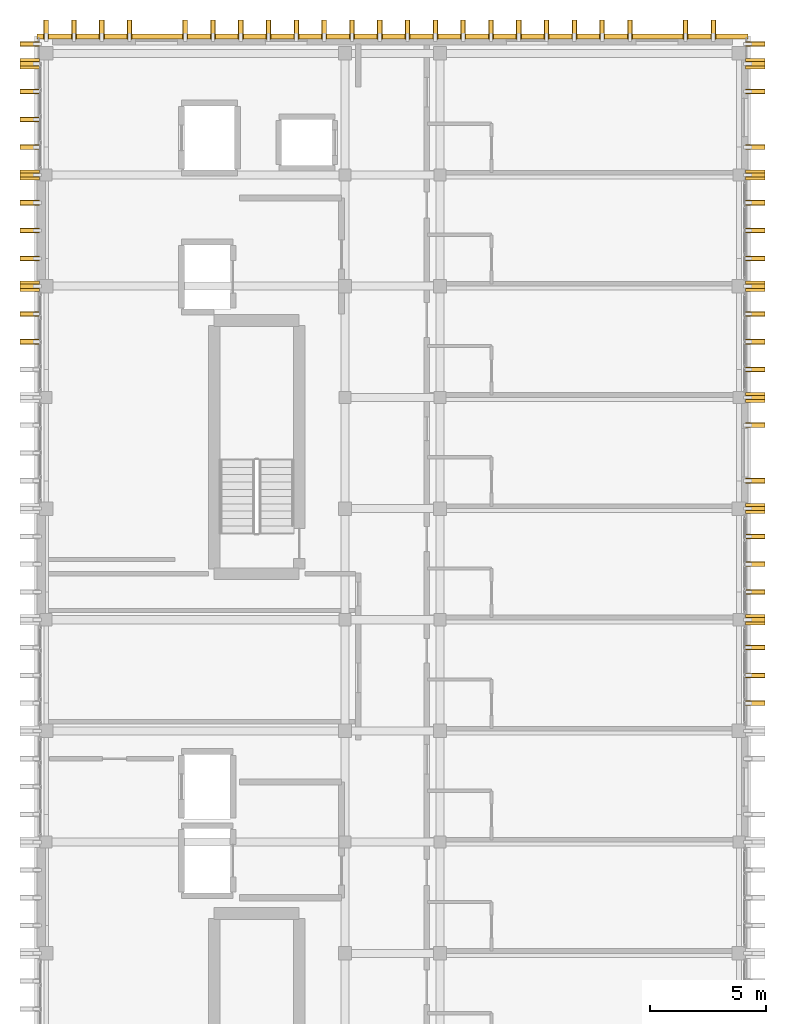
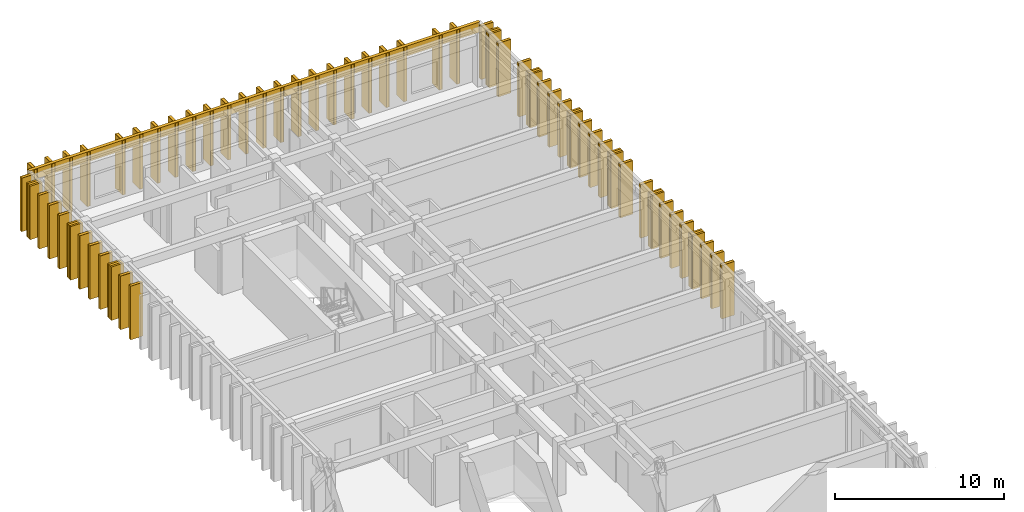
# One storey, part 49 of 49: 59 coverings, 58 shading devices.
"""IFC4 building model written with IfcOpenShell, lengths in metres."""

from ifc_helpers import new_model, si_unit, direction, frame, origin, origin_2d, place, context, subcontext, project, spatial, rectangle, extrude, material, layer, layer_set, type_object, element, save


model = new_model("IFC4")

# Units and contexts
model_context = context("Model", 3, precision=1e-05, world=origin(), true_north=direction((0.0, 1.0)))
body_context = subcontext(model_context, "Body", "Model", "MODEL_VIEW")
ifc_project = project(units=[si_unit("LENGTHUNIT", "METRE"), si_unit("AREAUNIT", "SQUARE_METRE"), si_unit("VOLUMEUNIT", "CUBIC_METRE"), si_unit("PLANEANGLEUNIT", "RADIAN"), si_unit("MASSUNIT", "GRAM", prefix="KILO")], contexts=[model_context])

# Site, building, storey
site_placement = place(None, origin())
site = spatial("IfcSite", under=ifc_project, at=site_placement, CompositionType="ELEMENT")
building_placement = place(site_placement, origin())
building = spatial("IfcBuilding", under=site, at=building_placement, Name="Nakhvara Creek Congress Hotel", CompositionType="ELEMENT")
storey_placement = place(building_placement, frame((0.0, 0.0, 46.5)))
storey = spatial("IfcBuildingStorey", under=building, at=storey_placement, Name="L11", CompositionType="ELEMENT", Elevation=46.5)

# Coverings
ifc_material_1 = material(Name="Honed pale Omani limestone architectural cladding", Category="masonry")
ifc_layer_1 = layer(ifc_material_1, 0.219970703125)
ifc_layer_set_1 = layer_set([ifc_layer_1], Name="Honed pale Omani limestone architectural cladding")
covering_type_1 = type_object("IfcCoveringType", Name="COV-FIN-850", PredefinedType="CLADDING", material=ifc_layer_set_1)
for number, where, z_axis, x_axis, name in (
    (1, (180.054931640625, 97.199951171875, 0.0), (0.0, 0.0, 1.0), (0.0, 1.0, 0.0), "Pale Limestone Fin Cladding CF01-2487"),
    (2, (180.054931640625, 98.39990234375, 0.0), (0.0, 0.0, 1.0), (0.0, 1.0, 0.0), "Pale Limestone Fin Cladding CF01-2489"),
    (3, (180.054931640625, 99.60009765625, 0.0), (0.0, 0.0, 1.0), (0.0, 1.0, 0.0), "Pale Limestone Fin Cladding CF01-2491"),
):
    element("IfcCovering", number, at=place(storey_placement, frame(where, z_axis=z_axis, x_axis=x_axis)), inside=storey, type_object=covering_type_1, Name=name, PredefinedType="CLADDING", context=body_context, shape_type="SweptSolid", body=[
        extrude(rectangle(XDim=0.219970703125, YDim=0.85009765625, at=origin_2d()), origin(), (0.0, 0.0, 1.0), 3.860107421875),
    ])
covering_1_placement = place(storey_placement, frame((180.054931640625, 100.800048828125, 0.0), z_axis=(0.0, 0.0, 1.0), x_axis=(0.0, 1.0, 0.0)))
element("IfcCovering", 4, at=covering_1_placement, inside=storey, type_object=covering_type_1, Name="Pale Limestone Fin Cladding CF01-2493", PredefinedType="CLADDING", context=body_context, shape_type="SweptSolid", body=[
    extrude(rectangle(XDim=0.43994140625, YDim=0.85009765625, at=origin_2d()), origin(), (0.0, 0.0, 1.0), 3.860107421875),
])
for number, where, z_axis, x_axis, name in (
    (5, (180.054931640625, 102.0, 0.0), (0.0, 0.0, 1.0), (0.0, 1.0, 0.0), "Pale Limestone Fin Cladding CF01-2495"),
    (6, (180.054931640625, 103.199951171875, 0.0), (0.0, 0.0, 1.0), (0.0, 1.0, 0.0), "Pale Limestone Fin Cladding CF01-2497"),
    (7, (180.054931640625, 104.39990234375, 0.0), (0.0, 0.0, 1.0), (0.0, 1.0, 0.0), "Pale Limestone Fin Cladding CF01-2499"),
):
    element("IfcCovering", number, at=place(storey_placement, frame(where, z_axis=z_axis, x_axis=x_axis)), inside=storey, type_object=covering_type_1, Name=name, PredefinedType="CLADDING", context=body_context, shape_type="SweptSolid", body=[
        extrude(rectangle(XDim=0.219970703125, YDim=0.85009765625, at=origin_2d()), origin(), (0.0, 0.0, 1.0), 3.860107421875),
    ])
covering_2_placement = place(storey_placement, frame((180.054931640625, 105.60009765625, 0.0), z_axis=(0.0, 0.0, 1.0), x_axis=(0.0, 1.0, 0.0)))
element("IfcCovering", 8, at=covering_2_placement, inside=storey, type_object=covering_type_1, Name="Pale Limestone Fin Cladding CF01-2501", PredefinedType="CLADDING", context=body_context, shape_type="SweptSolid", body=[
    extrude(rectangle(XDim=0.43994140625, YDim=0.85009765625, at=origin_2d()), origin(), (0.0, 0.0, 1.0), 3.860107421875),
])
for number, where, z_axis, x_axis, name in (
    (9, (180.054931640625, 106.800048828125, 0.0), (0.0, 0.0, 1.0), (0.0, 1.0, 0.0), "Pale Limestone Fin Cladding CF01-2503"),
    (10, (180.054931640625, 109.199951171875, 0.0), (0.0, 0.0, 1.0), (0.0, 1.0, 0.0), "Pale Limestone Fin Cladding CF01-2506"),
):
    element("IfcCovering", number, at=place(storey_placement, frame(where, z_axis=z_axis, x_axis=x_axis)), inside=storey, type_object=covering_type_1, Name=name, PredefinedType="CLADDING", context=body_context, shape_type="SweptSolid", body=[
        extrude(rectangle(XDim=0.219970703125, YDim=0.85009765625, at=origin_2d()), origin(), (0.0, 0.0, 1.0), 3.860107421875),
    ])
covering_3_placement = place(storey_placement, frame((180.054931640625, 110.39990234375, 0.0), z_axis=(0.0, 0.0, 1.0), x_axis=(0.0, 1.0, 0.0)))
element("IfcCovering", 11, at=covering_3_placement, inside=storey, type_object=covering_type_1, Name="Pale Limestone Fin Cladding CF01-2508", PredefinedType="CLADDING", context=body_context, shape_type="SweptSolid", body=[
    extrude(rectangle(XDim=0.43994140625, YDim=0.85009765625, at=origin_2d()), origin(), (0.0, 0.0, 1.0), 3.860107421875),
])
for number, where, z_axis, x_axis, name in (
    (12, (180.054931640625, 111.60009765625, 0.0), (0.0, 0.0, 1.0), (0.0, 1.0, 0.0), "Pale Limestone Fin Cladding CF01-2510"),
    (13, (180.054931640625, 112.800048828125, 0.0), (0.0, 0.0, 1.0), (0.0, 1.0, 0.0), "Pale Limestone Fin Cladding CF01-2512"),
    (14, (148.7451171875, 112.800048828125, 0.0), (0.0, 0.0, 1.0), (0.0, 1.0, 0.0), "Pale Limestone Fin Cladding CF01-2513"),
    (15, (180.054931640625, 114.0, 0.0), (0.0, 0.0, 1.0), (0.0, 1.0, 0.0), "Pale Limestone Fin Cladding CF01-2514"),
    (16, (148.7451171875, 114.0, 0.0), (0.0, 0.0, 1.0), (0.0, 1.0, 0.0), "Pale Limestone Fin Cladding CF01-2515"),
):
    element("IfcCovering", number, at=place(storey_placement, frame(where, z_axis=z_axis, x_axis=x_axis)), inside=storey, type_object=covering_type_1, Name=name, PredefinedType="CLADDING", context=body_context, shape_type="SweptSolid", body=[
        extrude(rectangle(XDim=0.219970703125, YDim=0.85009765625, at=origin_2d()), origin(), (0.0, 0.0, 1.0), 3.860107421875),
    ])
for number, where, z_axis, x_axis, name in (
    (17, (180.054931640625, 115.199951171875, 0.0), (0.0, 0.0, 1.0), (0.0, 1.0, 0.0), "Pale Limestone Fin Cladding CF01-2516"),
    (18, (148.7451171875, 115.199951171875, 0.0), (0.0, 0.0, 1.0), (0.0, 1.0, 0.0), "Pale Limestone Fin Cladding CF01-2517"),
):
    element("IfcCovering", number, at=place(storey_placement, frame(where, z_axis=z_axis, x_axis=x_axis)), inside=storey, type_object=covering_type_1, Name=name, PredefinedType="CLADDING", context=body_context, shape_type="SweptSolid", body=[
        extrude(rectangle(XDim=0.43994140625, YDim=0.85009765625, at=origin_2d()), origin(), (0.0, 0.0, 1.0), 3.860107421875),
    ])
for number, where, z_axis, x_axis, name in (
    (19, (180.054931640625, 116.39990234375, 0.0), (0.0, 0.0, 1.0), (0.0, 1.0, 0.0), "Pale Limestone Fin Cladding CF01-2518"),
    (20, (148.7451171875, 116.39990234375, 0.0), (0.0, 0.0, 1.0), (0.0, 1.0, 0.0), "Pale Limestone Fin Cladding CF01-2519"),
    (21, (180.054931640625, 117.60009765625, 0.0), (0.0, 0.0, 1.0), (0.0, 1.0, 0.0), "Pale Limestone Fin Cladding CF01-2520"),
    (22, (148.7451171875, 117.60009765625, 0.0), (0.0, 0.0, 1.0), (0.0, 1.0, 0.0), "Pale Limestone Fin Cladding CF01-2521"),
    (23, (180.054931640625, 118.800048828125, 0.0), (0.0, 0.0, 1.0), (0.0, 1.0, 0.0), "Pale Limestone Fin Cladding CF01-2522"),
    (24, (148.7451171875, 118.800048828125, 0.0), (0.0, 0.0, 1.0), (0.0, 1.0, 0.0), "Pale Limestone Fin Cladding CF01-2523"),
):
    element("IfcCovering", number, at=place(storey_placement, frame(where, z_axis=z_axis, x_axis=x_axis)), inside=storey, type_object=covering_type_1, Name=name, PredefinedType="CLADDING", context=body_context, shape_type="SweptSolid", body=[
        extrude(rectangle(XDim=0.219970703125, YDim=0.85009765625, at=origin_2d()), origin(), (0.0, 0.0, 1.0), 3.860107421875),
    ])
for number, where, z_axis, x_axis, name in (
    (25, (180.054931640625, 120.0, 0.0), (0.0, 0.0, 1.0), (0.0, 1.0, 0.0), "Pale Limestone Fin Cladding CF01-2524"),
    (26, (148.7451171875, 120.0, 0.0), (0.0, 0.0, 1.0), (0.0, 1.0, 0.0), "Pale Limestone Fin Cladding CF01-2525"),
):
    element("IfcCovering", number, at=place(storey_placement, frame(where, z_axis=z_axis, x_axis=x_axis)), inside=storey, type_object=covering_type_1, Name=name, PredefinedType="CLADDING", context=body_context, shape_type="SweptSolid", body=[
        extrude(rectangle(XDim=0.43994140625, YDim=0.85009765625, at=origin_2d()), origin(), (0.0, 0.0, 1.0), 3.860107421875),
    ])
for number, where, z_axis, x_axis, name in (
    (27, (180.054931640625, 121.199951171875, 0.0), (0.0, 0.0, 1.0), (0.0, 1.0, 0.0), "Pale Limestone Fin Cladding CF01-2526"),
    (28, (148.7451171875, 121.199951171875, 0.0), (0.0, 0.0, 1.0), (0.0, 1.0, 0.0), "Pale Limestone Fin Cladding CF01-2527"),
    (29, (148.7451171875, 122.39990234375, 0.0), (0.0, 0.0, 1.0), (0.0, 1.0, 0.0), "Pale Limestone Fin Cladding CF01-2528"),
    (30, (180.054931640625, 123.60009765625, 0.0), (0.0, 0.0, 1.0), (0.0, 1.0, 0.0), "Pale Limestone Fin Cladding CF01-2529"),
    (31, (148.7451171875, 123.60009765625, 0.0), (0.0, 0.0, 1.0), (0.0, 1.0, 0.0), "Pale Limestone Fin Cladding CF01-2530"),
):
    element("IfcCovering", number, at=place(storey_placement, frame(where, z_axis=z_axis, x_axis=x_axis)), inside=storey, type_object=covering_type_1, Name=name, PredefinedType="CLADDING", context=body_context, shape_type="SweptSolid", body=[
        extrude(rectangle(XDim=0.219970703125, YDim=0.85009765625, at=origin_2d()), origin(), (0.0, 0.0, 1.0), 3.860107421875),
    ])
for number, where, z_axis, x_axis, name in (
    (32, (180.054931640625, 124.800048828125, 0.0), (0.0, 0.0, 1.0), (0.0, 1.0, 0.0), "Pale Limestone Fin Cladding CF01-2531"),
    (33, (148.7451171875, 124.800048828125, 0.0), (0.0, 0.0, 1.0), (0.0, 1.0, 0.0), "Pale Limestone Fin Cladding CF01-2532"),
):
    element("IfcCovering", number, at=place(storey_placement, frame(where, z_axis=z_axis, x_axis=x_axis)), inside=storey, type_object=covering_type_1, Name=name, PredefinedType="CLADDING", context=body_context, shape_type="SweptSolid", body=[
        extrude(rectangle(XDim=0.43994140625, YDim=0.85009765625, at=origin_2d()), origin(), (0.0, 0.0, 1.0), 3.860107421875),
    ])
for number, where, z_axis, x_axis, name in (
    (34, (180.054931640625, 125.64990234375, 0.0), (0.0, 0.0, 1.0), (0.0, 1.0, 0.0), "Pale Limestone Fin Cladding CF01-2533"),
    (35, (148.7451171875, 125.64990234375, 0.0), (0.0, 0.0, 1.0), (0.0, 1.0, 0.0), "Pale Limestone Fin Cladding CF01-2534"),
):
    element("IfcCovering", number, at=place(storey_placement, frame(where, z_axis=z_axis, x_axis=x_axis)), inside=storey, type_object=covering_type_1, Name=name, PredefinedType="CLADDING", context=body_context, shape_type="SweptSolid", body=[
        extrude(rectangle(XDim=0.219970703125, YDim=0.85009765625, at=origin_2d()), origin(), (0.0, 0.0, 1.0), 3.860107421875),
    ])
for number, where, z_axis, x_axis, name in (
    (36, (149.449951171875, 126.264892578125, 0.0), (0.0, 0.0, 1.0), (1.0, 0.0, 0.0), "Pale Limestone Fin Cladding CF01-2535"),
    (37, (150.64990234375, 126.264892578125, 0.0), (0.0, 0.0, 1.0), (1.0, 0.0, 0.0), "Pale Limestone Fin Cladding CF01-2537"),
    (38, (151.85009765625, 126.264892578125, 0.0), (0.0, 0.0, 1.0), (1.0, 0.0, 0.0), "Pale Limestone Fin Cladding CF01-2539"),
    (39, (153.050048828125, 126.264892578125, 0.0), (0.0, 0.0, 1.0), (1.0, 0.0, 0.0), "Pale Limestone Fin Cladding CF01-2541"),
    (40, (155.449951171875, 126.264892578125, 0.0), (0.0, 0.0, 1.0), (1.0, 0.0, 0.0), "Pale Limestone Fin Cladding CF01-2543"),
    (41, (156.64990234375, 126.264892578125, 0.0), (0.0, 0.0, 1.0), (1.0, 0.0, 0.0), "Pale Limestone Fin Cladding CF01-2545"),
    (42, (157.85009765625, 126.264892578125, 0.0), (0.0, 0.0, 1.0), (1.0, 0.0, 0.0), "Pale Limestone Fin Cladding CF01-2547"),
    (43, (159.050048828125, 126.264892578125, 0.0), (0.0, 0.0, 1.0), (1.0, 0.0, 0.0), "Pale Limestone Fin Cladding CF01-2549"),
    (44, (160.25, 126.264892578125, 0.0), (0.0, 0.0, 1.0), (1.0, 0.0, 0.0), "Pale Limestone Fin Cladding CF01-2551"),
    (45, (161.449951171875, 126.264892578125, 0.0), (0.0, 0.0, 1.0), (1.0, 0.0, 0.0), "Pale Limestone Fin Cladding CF01-2553"),
    (46, (162.64990234375, 126.264892578125, 0.0), (0.0, 0.0, 1.0), (1.0, 0.0, 0.0), "Pale Limestone Fin Cladding CF01-2555"),
    (47, (163.85009765625, 126.264892578125, 0.0), (0.0, 0.0, 1.0), (1.0, 0.0, 0.0), "Pale Limestone Fin Cladding CF01-2556"),
    (48, (165.050048828125, 126.264892578125, 0.0), (0.0, 0.0, 1.0), (1.0, 0.0, 0.0), "Pale Limestone Fin Cladding CF01-2557"),
    (49, (166.25, 126.264892578125, 0.0), (0.0, 0.0, 1.0), (1.0, 0.0, 0.0), "Pale Limestone Fin Cladding CF01-2559"),
    (50, (167.449951171875, 126.264892578125, 0.0), (0.0, 0.0, 1.0), (1.0, 0.0, 0.0), "Pale Limestone Fin Cladding CF01-2561"),
    (51, (168.64990234375, 126.264892578125, 0.0), (0.0, 0.0, 1.0), (1.0, 0.0, 0.0), "Pale Limestone Fin Cladding CF01-2563"),
    (52, (169.85009765625, 126.264892578125, 0.0), (0.0, 0.0, 1.0), (1.0, 0.0, 0.0), "Pale Limestone Fin Cladding CF01-2564"),
    (53, (171.050048828125, 126.264892578125, 0.0), (0.0, 0.0, 1.0), (1.0, 0.0, 0.0), "Pale Limestone Fin Cladding CF01-2566"),
    (54, (172.25, 126.264892578125, 0.0), (0.0, 0.0, 1.0), (1.0, 0.0, 0.0), "Pale Limestone Fin Cladding CF01-2568"),
    (55, (173.449951171875, 126.264892578125, 0.0), (0.0, 0.0, 1.0), (1.0, 0.0, 0.0), "Pale Limestone Fin Cladding CF01-2570"),
    (56, (174.64990234375, 126.264892578125, 0.0), (0.0, 0.0, 1.0), (1.0, 0.0, 0.0), "Pale Limestone Fin Cladding CF01-2572"),
    (57, (177.050048828125, 126.264892578125, 0.0), (0.0, 0.0, 1.0), (1.0, 0.0, 0.0), "Pale Limestone Fin Cladding CF01-2575"),
    (58, (178.25, 126.264892578125, 0.0), (0.0, 0.0, 1.0), (1.0, 0.0, 0.0), "Pale Limestone Fin Cladding CF01-2577"),
):
    element("IfcCovering", number, at=place(storey_placement, frame(where, z_axis=z_axis, x_axis=x_axis)), inside=storey, type_object=covering_type_1, Name=name, PredefinedType="CLADDING", context=body_context, shape_type="SweptSolid", body=[
        extrude(rectangle(XDim=0.219970703125, YDim=0.85009765625, at=origin_2d()), origin(), (0.0, 0.0, 1.0), 3.919921875),
    ])
ifc_layer_2 = layer(ifc_material_1, 0.179931640625)
ifc_layer_set_2 = layer_set([ifc_layer_2], Name="Honed pale Omani limestone architectural cladding")
covering_type_2 = type_object("IfcCoveringType", Name="COV-SPN-180", PredefinedType="CLADDING", material=ifc_layer_set_2)
covering_4_placement = place(storey_placement, frame((164.39990234375, 125.969970703125, 3.2099609375), z_axis=(0.0, 0.0, 1.0), x_axis=(1.0, 0.0, 0.0)))
element("IfcCovering", 59, at=covering_4_placement, inside=storey, type_object=covering_type_2, Name="Pale Limestone Spandrel Band CF02-0087", PredefinedType="CLADDING", context=body_context, shape_type="SweptSolid", body=[
    extrude(rectangle(XDim=30.699951171875, YDim=0.219970703125, at=origin_2d()), origin(), (0.0, 0.0, 1.0), 0.72998046875),
])

# Shading devices
ifc_material_2 = material(Name="Honed pale Omani limestone cladding on stainless steel spine", Category="masonry")
shading_device_type = type_object("IfcShadingDeviceType", Name="SHD-FIN-850X3600", PredefinedType="USERDEFINED", material=ifc_material_2)
for number, where, z_axis, x_axis, name in (
    (60, (180.054931640625, 97.199951171875, 0.0), (0.0, 0.0, 1.0), (0.0, 1.0, 0.0), "Limestone Solar Fin FN01-2352"),
    (61, (180.054931640625, 98.39990234375, 0.0), (0.0, 0.0, 1.0), (0.0, 1.0, 0.0), "Limestone Solar Fin FN01-2354"),
    (62, (180.054931640625, 99.60009765625, 0.0), (0.0, 0.0, 1.0), (0.0, 1.0, 0.0), "Limestone Solar Fin FN01-2356"),
    (63, (180.054931640625, 100.800048828125, 0.0), (0.0, 0.0, 1.0), (0.0, 1.0, 0.0), "Limestone Solar Fin FN01-2358"),
    (64, (180.054931640625, 102.0, 0.0), (0.0, 0.0, 1.0), (0.0, 1.0, 0.0), "Limestone Solar Fin FN01-2360"),
    (65, (180.054931640625, 103.199951171875, 0.0), (0.0, 0.0, 1.0), (0.0, 1.0, 0.0), "Limestone Solar Fin FN01-2362"),
    (66, (180.054931640625, 104.39990234375, 0.0), (0.0, 0.0, 1.0), (0.0, 1.0, 0.0), "Limestone Solar Fin FN01-2364"),
    (67, (180.054931640625, 105.60009765625, 0.0), (0.0, 0.0, 1.0), (0.0, 1.0, 0.0), "Limestone Solar Fin FN01-2366"),
    (68, (180.054931640625, 106.800048828125, 0.0), (0.0, 0.0, 1.0), (0.0, 1.0, 0.0), "Limestone Solar Fin FN01-2368"),
    (69, (180.054931640625, 109.199951171875, 0.0), (0.0, 0.0, 1.0), (0.0, 1.0, 0.0), "Limestone Solar Fin FN01-2371"),
    (70, (180.054931640625, 110.39990234375, 0.0), (0.0, 0.0, 1.0), (0.0, 1.0, 0.0), "Limestone Solar Fin FN01-2373"),
    (71, (180.054931640625, 111.60009765625, 0.0), (0.0, 0.0, 1.0), (0.0, 1.0, 0.0), "Limestone Solar Fin FN01-2375"),
    (72, (180.054931640625, 112.800048828125, 0.0), (0.0, 0.0, 1.0), (0.0, 1.0, 0.0), "Limestone Solar Fin FN01-2377"),
    (73, (148.7451171875, 112.800048828125, 0.0), (0.0, 0.0, 1.0), (0.0, 1.0, 0.0), "Limestone Solar Fin FN01-2378"),
    (74, (180.054931640625, 114.0, 0.0), (0.0, 0.0, 1.0), (0.0, 1.0, 0.0), "Limestone Solar Fin FN01-2379"),
    (75, (148.7451171875, 114.0, 0.0), (0.0, 0.0, 1.0), (0.0, 1.0, 0.0), "Limestone Solar Fin FN01-2380"),
    (76, (180.054931640625, 115.199951171875, 0.0), (0.0, 0.0, 1.0), (0.0, 1.0, 0.0), "Limestone Solar Fin FN01-2381"),
    (77, (148.7451171875, 115.199951171875, 0.0), (0.0, 0.0, 1.0), (0.0, 1.0, 0.0), "Limestone Solar Fin FN01-2382"),
    (78, (180.054931640625, 116.39990234375, 0.0), (0.0, 0.0, 1.0), (0.0, 1.0, 0.0), "Limestone Solar Fin FN01-2383"),
    (79, (148.7451171875, 116.39990234375, 0.0), (0.0, 0.0, 1.0), (0.0, 1.0, 0.0), "Limestone Solar Fin FN01-2384"),
    (80, (180.054931640625, 117.60009765625, 0.0), (0.0, 0.0, 1.0), (0.0, 1.0, 0.0), "Limestone Solar Fin FN01-2385"),
    (81, (148.7451171875, 117.60009765625, 0.0), (0.0, 0.0, 1.0), (0.0, 1.0, 0.0), "Limestone Solar Fin FN01-2386"),
    (82, (180.054931640625, 118.800048828125, 0.0), (0.0, 0.0, 1.0), (0.0, 1.0, 0.0), "Limestone Solar Fin FN01-2387"),
    (83, (148.7451171875, 118.800048828125, 0.0), (0.0, 0.0, 1.0), (0.0, 1.0, 0.0), "Limestone Solar Fin FN01-2388"),
    (84, (180.054931640625, 120.0, 0.0), (0.0, 0.0, 1.0), (0.0, 1.0, 0.0), "Limestone Solar Fin FN01-2389"),
    (85, (148.7451171875, 120.0, 0.0), (0.0, 0.0, 1.0), (0.0, 1.0, 0.0), "Limestone Solar Fin FN01-2390"),
    (86, (180.054931640625, 121.199951171875, 0.0), (0.0, 0.0, 1.0), (0.0, 1.0, 0.0), "Limestone Solar Fin FN01-2391"),
    (87, (148.7451171875, 121.199951171875, 0.0), (0.0, 0.0, 1.0), (0.0, 1.0, 0.0), "Limestone Solar Fin FN01-2392"),
    (88, (148.7451171875, 122.39990234375, 0.0), (0.0, 0.0, 1.0), (0.0, 1.0, 0.0), "Limestone Solar Fin FN01-2393"),
    (89, (180.054931640625, 123.60009765625, 0.0), (0.0, 0.0, 1.0), (0.0, 1.0, 0.0), "Limestone Solar Fin FN01-2394"),
    (90, (148.7451171875, 123.60009765625, 0.0), (0.0, 0.0, 1.0), (0.0, 1.0, 0.0), "Limestone Solar Fin FN01-2395"),
    (91, (180.054931640625, 124.800048828125, 0.0), (0.0, 0.0, 1.0), (0.0, 1.0, 0.0), "Limestone Solar Fin FN01-2396"),
    (92, (148.7451171875, 124.800048828125, 0.0), (0.0, 0.0, 1.0), (0.0, 1.0, 0.0), "Limestone Solar Fin FN01-2397"),
    (93, (180.054931640625, 125.64990234375, 0.0), (0.0, 0.0, 1.0), (0.0, 1.0, 0.0), "Limestone Solar Fin FN01-2398"),
    (94, (148.7451171875, 125.64990234375, 0.0), (0.0, 0.0, 1.0), (0.0, 1.0, 0.0), "Limestone Solar Fin FN01-2399"),
):
    element("IfcShadingDevice", number, at=place(storey_placement, frame(where, z_axis=z_axis, x_axis=x_axis)), inside=storey, type_object=shading_device_type, Name=name, ObjectType="FIN", PredefinedType="USERDEFINED", context=body_context, shape_type="SweptSolid", body=[
        extrude(rectangle(XDim=0.179931640625, YDim=0.85009765625, at=origin_2d()), origin(), (0.0, 0.0, 1.0), 3.860107421875),
    ])
for number, where, z_axis, x_axis, name in (
    (95, (149.449951171875, 126.264892578125, 0.0), (0.0, 0.0, 1.0), (1.0, 0.0, 0.0), "Limestone Solar Fin FN01-2400"),
    (96, (150.64990234375, 126.264892578125, 0.0), (0.0, 0.0, 1.0), (1.0, 0.0, 0.0), "Limestone Solar Fin FN01-2402"),
    (97, (151.85009765625, 126.264892578125, 0.0), (0.0, 0.0, 1.0), (1.0, 0.0, 0.0), "Limestone Solar Fin FN01-2404"),
    (98, (153.050048828125, 126.264892578125, 0.0), (0.0, 0.0, 1.0), (1.0, 0.0, 0.0), "Limestone Solar Fin FN01-2406"),
    (99, (155.449951171875, 126.264892578125, 0.0), (0.0, 0.0, 1.0), (1.0, 0.0, 0.0), "Limestone Solar Fin FN01-2408"),
    (100, (156.64990234375, 126.264892578125, 0.0), (0.0, 0.0, 1.0), (1.0, 0.0, 0.0), "Limestone Solar Fin FN01-2410"),
    (101, (157.85009765625, 126.264892578125, 0.0), (0.0, 0.0, 1.0), (1.0, 0.0, 0.0), "Limestone Solar Fin FN01-2412"),
    (102, (159.050048828125, 126.264892578125, 0.0), (0.0, 0.0, 1.0), (1.0, 0.0, 0.0), "Limestone Solar Fin FN01-2414"),
    (103, (160.25, 126.264892578125, 0.0), (0.0, 0.0, 1.0), (1.0, 0.0, 0.0), "Limestone Solar Fin FN01-2416"),
    (104, (161.449951171875, 126.264892578125, 0.0), (0.0, 0.0, 1.0), (1.0, 0.0, 0.0), "Limestone Solar Fin FN01-2418"),
    (105, (162.64990234375, 126.264892578125, 0.0), (0.0, 0.0, 1.0), (1.0, 0.0, 0.0), "Limestone Solar Fin FN01-2420"),
    (106, (163.85009765625, 126.264892578125, 0.0), (0.0, 0.0, 1.0), (1.0, 0.0, 0.0), "Limestone Solar Fin FN01-2421"),
    (107, (165.050048828125, 126.264892578125, 0.0), (0.0, 0.0, 1.0), (1.0, 0.0, 0.0), "Limestone Solar Fin FN01-2422"),
    (108, (166.25, 126.264892578125, 0.0), (0.0, 0.0, 1.0), (1.0, 0.0, 0.0), "Limestone Solar Fin FN01-2424"),
    (109, (167.449951171875, 126.264892578125, 0.0), (0.0, 0.0, 1.0), (1.0, 0.0, 0.0), "Limestone Solar Fin FN01-2426"),
    (110, (168.64990234375, 126.264892578125, 0.0), (0.0, 0.0, 1.0), (1.0, 0.0, 0.0), "Limestone Solar Fin FN01-2428"),
    (111, (169.85009765625, 126.264892578125, 0.0), (0.0, 0.0, 1.0), (1.0, 0.0, 0.0), "Limestone Solar Fin FN01-2429"),
    (112, (171.050048828125, 126.264892578125, 0.0), (0.0, 0.0, 1.0), (1.0, 0.0, 0.0), "Limestone Solar Fin FN01-2431"),
    (113, (172.25, 126.264892578125, 0.0), (0.0, 0.0, 1.0), (1.0, 0.0, 0.0), "Limestone Solar Fin FN01-2433"),
    (114, (173.449951171875, 126.264892578125, 0.0), (0.0, 0.0, 1.0), (1.0, 0.0, 0.0), "Limestone Solar Fin FN01-2435"),
    (115, (174.64990234375, 126.264892578125, 0.0), (0.0, 0.0, 1.0), (1.0, 0.0, 0.0), "Limestone Solar Fin FN01-2437"),
    (116, (177.050048828125, 126.264892578125, 0.0), (0.0, 0.0, 1.0), (1.0, 0.0, 0.0), "Limestone Solar Fin FN01-2440"),
    (117, (178.25, 126.264892578125, 0.0), (0.0, 0.0, 1.0), (1.0, 0.0, 0.0), "Limestone Solar Fin FN01-2442"),
):
    element("IfcShadingDevice", number, at=place(storey_placement, frame(where, z_axis=z_axis, x_axis=x_axis)), inside=storey, type_object=shading_device_type, Name=name, ObjectType="FIN", PredefinedType="USERDEFINED", context=body_context, shape_type="SweptSolid", body=[
        extrude(rectangle(XDim=0.179931640625, YDim=0.85009765625, at=origin_2d()), origin(), (0.0, 0.0, 1.0), 3.919921875),
    ])

save(model, "model.ifc")
